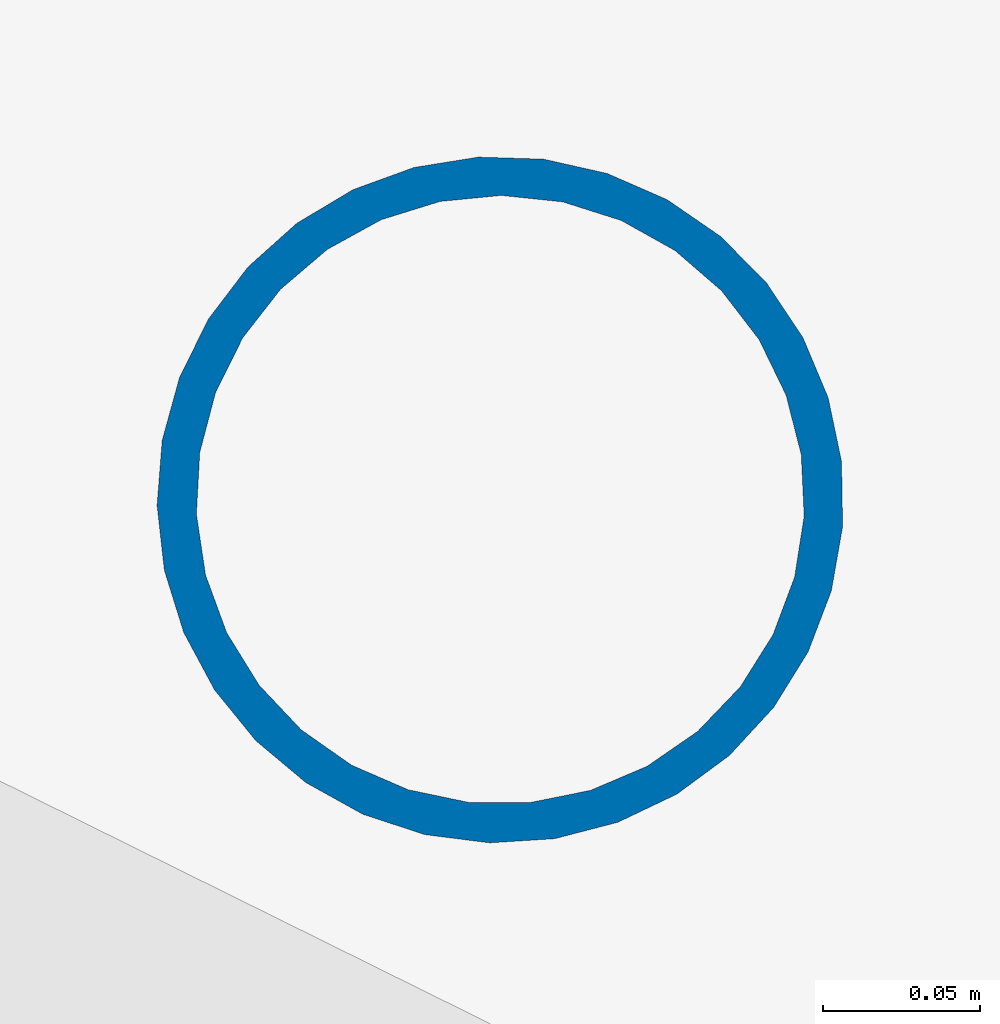
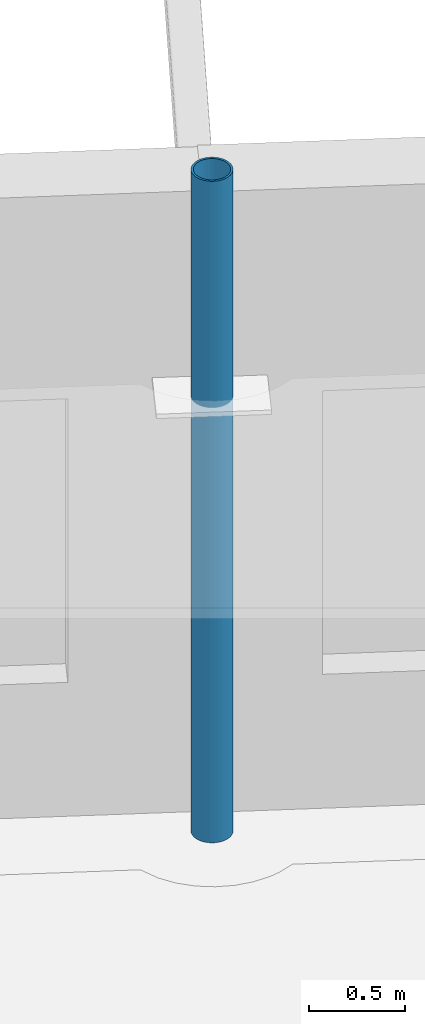
# One storey, part 18 of 68: 1 column.
"""IFC4 building model written with IfcOpenShell, lengths in metres."""

from ifc_helpers import new_model, si_unit, direction, frame, origin, origin_2d, place, context, subcontext, project, spatial, hollow_circle, extrude, material, material_profile, profile_set, type_object, element, save


model = new_model("IFC4")

# Units and contexts
model_context = context("Model", 3, precision=1e-05, world=origin(), true_north=direction((0.0, 1.0)))
body_context = subcontext(model_context, "Body", "Model", "MODEL_VIEW")
ifc_project = project(units=[si_unit("LENGTHUNIT", "METRE"), si_unit("AREAUNIT", "SQUARE_METRE"), si_unit("VOLUMEUNIT", "CUBIC_METRE"), si_unit("PLANEANGLEUNIT", "RADIAN"), si_unit("MASSUNIT", "GRAM", prefix="KILO")], contexts=[model_context])

# Site, building, storey
site_placement = place(None, origin())
site = spatial("IfcSite", under=ifc_project, at=site_placement, CompositionType="ELEMENT")
building_placement = place(site_placement, origin())
building = spatial("IfcBuilding", under=site, at=building_placement, Name="Wrenclough Park School", CompositionType="ELEMENT")
storey_placement = place(building_placement, frame((0.0, 0.0, 12.60009765625)))
storey = spatial("IfcBuildingStorey", under=building, at=storey_placement, Name="L03", CompositionType="ELEMENT", Elevation=12.60009765625)

# Column
ifc_material = material(Name="Structural steel S355", Category="steel")
ifc_material_profile = material_profile(ifc_material, hollow_circle(Radius=0.109619140625, WallThickness=0.012451171875, at=origin_2d()), Name="CHS 219.1x12.5")
ifc_profile_set = profile_set([ifc_material_profile], Name="Structural steel S355")
column_type = type_object("IfcColumnType", Name="STR-COL-CHS219", PredefinedType="COLUMN", material=ifc_profile_set)
column_placement = place(storey_placement, frame((133.880859375, 118.1748046875, 0.0), z_axis=(0.0, 0.0, 1.0), x_axis=(0.896254315973, -0.443540529265, 0.0)))
element("IfcColumn", 1, at=column_placement, inside=storey, type_object=column_type, Name="W45 L03 column W45-C2-L01", PredefinedType="COLUMN", context=body_context, shape_type="SweptSolid", body=[
    extrude(hollow_circle(Radius=0.109619140625, WallThickness=0.012451171875, at=origin_2d()), origin(), (0.0, 0.0, 1.0), 4.199951171875),
])

save(model, "model.ifc")
